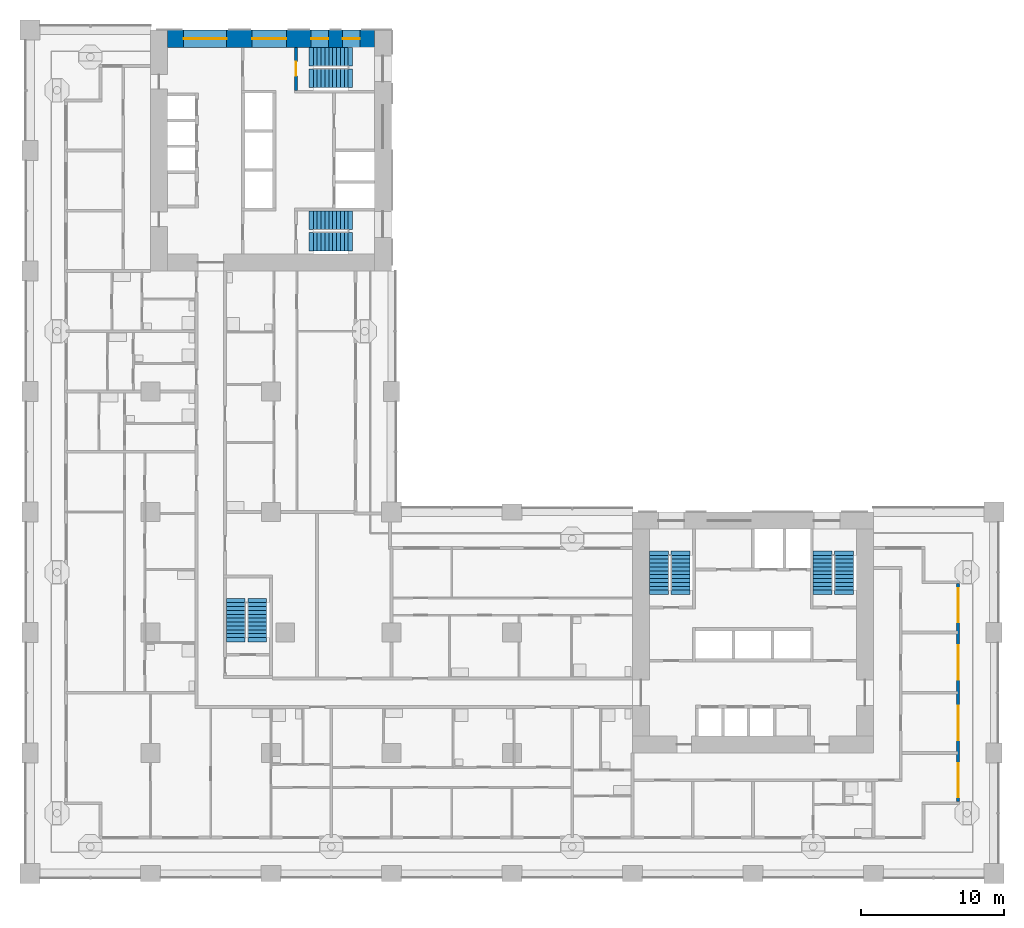
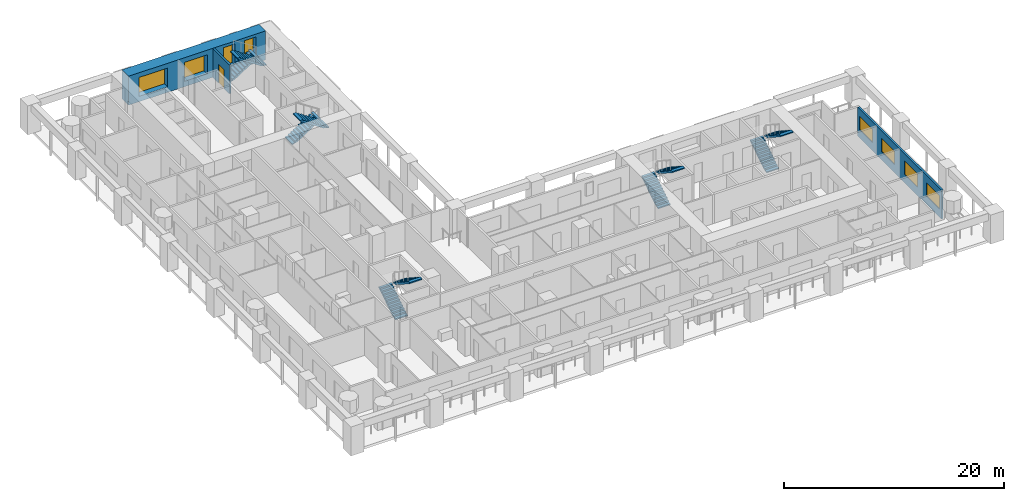
# One storey, part 9 of 19: 10 stair flights, 8 windows, 3 walls, 1 door, 9 openings, 5 elements without a shape of their own.
"""IFC4 building model written with IfcOpenShell, lengths in metres."""

from ifc_helpers import new_model, si_unit, direction, frame, frame_2d, origin, place, context, subcontext, project, spatial, polyline, rectangle, outline, extrude, material, layer, layer_set, type_object, element, fill, aggregate, save


model = new_model("IFC4")

# Units and contexts
model_context = context("Model", 3, precision=1e-05, world=origin(), true_north=direction((0.0, 1.0)))
body_context = subcontext(model_context, "Body", "Model", "MODEL_VIEW")
ifc_project = project(units=[si_unit("LENGTHUNIT", "METRE"), si_unit("AREAUNIT", "SQUARE_METRE"), si_unit("VOLUMEUNIT", "CUBIC_METRE"), si_unit("PLANEANGLEUNIT", "RADIAN"), si_unit("MASSUNIT", "GRAM", prefix="KILO")], contexts=[model_context])

# Site, building, storey
site_placement = place(None, origin())
site = spatial("IfcSite", under=ifc_project, at=site_placement, CompositionType="ELEMENT")
building_placement = place(site_placement, origin())
building = spatial("IfcBuilding", under=site, at=building_placement, Name="Vermilion Gate Residences", CompositionType="ELEMENT")
storey_placement = place(building_placement, frame((0.0, 0.0, 28.699951171875)))
storey = spatial("IfcBuildingStorey", under=building, at=storey_placement, Name="L05", CompositionType="ELEMENT", Elevation=28.699951171875)

# Wall, openings, windows
ifc_material_1 = material(Name="Insulated steel stud wall with terracotta rainscreen", Category="masonry")
ifc_layer_1 = layer(ifc_material_1, 0.199951171875)
ifc_layer_set_1 = layer_set([ifc_layer_1], Name="EXTERNAL WALL 200 TERRACOTTA RAINSCREEN")
wall_type_1 = type_object("IfcWallType", Name="EXTERNAL WALL 200 TERRACOTTA RAINSCREEN", PredefinedType="SOLIDWALL", material=ifc_layer_set_1)
wall_1_placement = place(storey_placement, frame((64.699951171875, 5.0, 0.0), z_axis=(0.0, 0.0, 1.0), x_axis=(0.0, 1.0, 0.0)))
wall_1 = element("IfcWall", 1, at=wall_1_placement, inside=storey, type_object=wall_type_1, Name="External wall", PredefinedType="SOLIDWALL", context=body_context, shape_type="SweptSolid", body=[
    extrude(rectangle(XDim=15.199951171875, YDim=0.199951171875, at=frame_2d((7.60009765625, 0.0))), origin(), (0.0, 0.0, 1.0), 3.219970703125),
])
opening_1_placement = place(wall_1_placement, frame((0.300048828125, 0.0, 0.89990234375)))
opening_1 = element("IfcOpeningElement", 2, at=opening_1_placement, cuts=wall_1, Name="Opening WE05028", PredefinedType="OPENING", context=body_context, shape_type="SweptSolid", body=[
    extrude(rectangle(XDim=2.39990234375, YDim=1.5, at=frame_2d((1.199951171875, 0.75))), frame((0.0, 0.10986328125, 0.0), z_axis=(0.0, -1.0, 0.0), x_axis=(1.0, 0.0, 0.0)), (0.0, 0.0, 1.0), 0.219970703125),
])
opening_2_placement = place(wall_1_placement, frame((4.300048828125, 0.0, 0.89990234375)))
opening_2 = element("IfcOpeningElement", 3, at=opening_2_placement, cuts=wall_1, Name="Opening WE05029", PredefinedType="OPENING", context=body_context, shape_type="SweptSolid", body=[
    extrude(rectangle(XDim=2.39990234375, YDim=1.5, at=frame_2d((1.199951171875, 0.75))), frame((0.0, 0.10986328125, 0.0), z_axis=(0.0, -1.0, 0.0), x_axis=(1.0, 0.0, 0.0)), (0.0, 0.0, 1.0), 0.219970703125),
])
opening_3_placement = place(wall_1_placement, frame((8.5, 0.0, 0.89990234375)))
opening_3 = element("IfcOpeningElement", 4, at=opening_3_placement, cuts=wall_1, Name="Opening WE05030", PredefinedType="OPENING", context=body_context, shape_type="SweptSolid", body=[
    extrude(rectangle(XDim=2.39990234375, YDim=1.5, at=frame_2d((1.199951171875, 0.75))), frame((0.0, 0.10986328125, 0.0), z_axis=(0.0, -1.0, 0.0), x_axis=(1.0, 0.0, 0.0)), (0.0, 0.0, 1.0), 0.219970703125),
])
opening_4_placement = place(wall_1_placement, frame((12.5, 0.0, 0.89990234375)))
opening_4 = element("IfcOpeningElement", 5, at=opening_4_placement, cuts=wall_1, Name="Opening WE05031", PredefinedType="OPENING", context=body_context, shape_type="SweptSolid", body=[
    extrude(rectangle(XDim=2.39990234375, YDim=1.5, at=frame_2d((1.199951171875, 0.75))), frame((0.0, 0.10986328125, 0.0), z_axis=(0.0, -1.0, 0.0), x_axis=(1.0, 0.0, 0.0)), (0.0, 0.0, 1.0), 0.219970703125),
])
ifc_material_2 = material(Name="Aluminium and clear glass", Category="aluminium")
window_type_1 = type_object("IfcWindowType", Name="WINDOW 2400 X 1500", PartitioningType="SINGLE_PANEL", PredefinedType="WINDOW", material=ifc_material_2)
window_1_placement = place(opening_1_placement, origin())
window_1 = element("IfcWindow", 6, at=window_1_placement, inside=storey, type_object=window_type_1, Name="Window", OverallHeight=1.5, OverallWidth=2.39990234375, PartitioningType="SINGLE_PANEL", PredefinedType="WINDOW", context=body_context, shape_type="SweptSolid", body=[
    extrude(rectangle(XDim=2.39990234375, YDim=1.5, at=frame_2d((1.199951171875, 0.75))), frame((0.0, 0.030029296875, 0.0), z_axis=(0.0, -1.0, 0.0), x_axis=(1.0, 0.0, 0.0)), (0.0, 0.0, 1.0), 0.06005859375),
])
fill(opening_1, window_1)
window_2_placement = place(opening_2_placement, origin())
window_2 = element("IfcWindow", 7, at=window_2_placement, inside=storey, type_object=window_type_1, Name="Window", OverallHeight=1.5, OverallWidth=2.39990234375, PartitioningType="SINGLE_PANEL", PredefinedType="WINDOW", context=body_context, shape_type="SweptSolid", body=[
    extrude(rectangle(XDim=2.39990234375, YDim=1.5, at=frame_2d((1.199951171875, 0.75))), frame((0.0, 0.030029296875, 0.0), z_axis=(0.0, -1.0, 0.0), x_axis=(1.0, 0.0, 0.0)), (0.0, 0.0, 1.0), 0.06005859375),
])
fill(opening_2, window_2)
window_3_placement = place(opening_3_placement, origin())
window_3 = element("IfcWindow", 8, at=window_3_placement, inside=storey, type_object=window_type_1, Name="Window", OverallHeight=1.5, OverallWidth=2.39990234375, PartitioningType="SINGLE_PANEL", PredefinedType="WINDOW", context=body_context, shape_type="SweptSolid", body=[
    extrude(rectangle(XDim=2.39990234375, YDim=1.5, at=frame_2d((1.199951171875, 0.75))), frame((0.0, 0.030029296875, 0.0), z_axis=(0.0, -1.0, 0.0), x_axis=(1.0, 0.0, 0.0)), (0.0, 0.0, 1.0), 0.06005859375),
])
fill(opening_3, window_3)
window_4_placement = place(opening_4_placement, origin())
window_4 = element("IfcWindow", 9, at=window_4_placement, inside=storey, type_object=window_type_1, Name="Window", OverallHeight=1.5, OverallWidth=2.39990234375, PartitioningType="SINGLE_PANEL", PredefinedType="WINDOW", context=body_context, shape_type="SweptSolid", body=[
    extrude(rectangle(XDim=2.39990234375, YDim=1.5, at=frame_2d((1.199951171875, 0.75))), frame((0.0, 0.030029296875, 0.0), z_axis=(0.0, -1.0, 0.0), x_axis=(1.0, 0.0, 0.0)), (0.0, 0.0, 1.0), 0.06005859375),
])
fill(opening_4, window_4)

# Wall, opening, door
ifc_material_3 = material(Name="Concrete C60", Category="concrete")
ifc_layer_2 = layer(ifc_material_3, 0.199951171875)
ifc_layer_set_2 = layer_set([ifc_layer_2], Name="RC CORE INTERNAL WALL 200 C60")
wall_type_2 = type_object("IfcWallType", Name="RC CORE INTERNAL WALL 200 C60", PredefinedType="SHEAR", material=ifc_layer_set_2)
wall_2_placement = place(storey_placement, frame((18.550048828125, 57.60009765625, 0.0), z_axis=(0.0, 0.0, 1.0), x_axis=(0.0, -1.0, 0.0)))
wall_2 = element("IfcWall", 10, at=wall_2_placement, inside=storey, type_object=wall_type_2, Name="Core internal wall B05-STW-S", PredefinedType="SHEAR", context=body_context, shape_type="SweptSolid", body=[
    extrude(rectangle(XDim=3.0, YDim=0.199951171875, at=frame_2d((1.5, 0.0))), origin(), (0.0, 0.0, 1.0), 3.219970703125),
])
opening_5_placement = place(wall_2_placement, frame((1.0, 0.0, 0.0)))
opening_5 = element("IfcOpeningElement", 11, at=opening_5_placement, cuts=wall_2, Name="Opening DK05112", PredefinedType="OPENING", context=body_context, shape_type="SweptSolid", body=[
    extrude(rectangle(XDim=1.0, YDim=2.10009765625, at=frame_2d((0.5, 1.050048828125))), frame((0.0, 0.10986328125, 0.0), z_axis=(0.0, -1.0, 0.0), x_axis=(1.0, 0.0, 0.0)), (0.0, 0.0, 1.0), 0.219970703125),
])
ifc_material_4 = material(Name="Steel", Category="steel")
door_type = type_object("IfcDoorType", Name="FIRE DOOR FD60 1000 X 2100", OperationType="SINGLE_SWING_LEFT", PredefinedType="DOOR", material=ifc_material_4)
door_placement = place(opening_5_placement, origin())
door = element("IfcDoor", 12, at=door_placement, inside=storey, type_object=door_type, Name="Stair door B05", OperationType="SINGLE_SWING_LEFT", OverallHeight=2.10009765625, OverallWidth=1.0, PredefinedType="DOOR", context=body_context, shape_type="SweptSolid", body=[
    extrude(rectangle(XDim=1.0, YDim=2.10009765625, at=frame_2d((0.5, 1.050048828125))), frame((0.0, 0.02490234375, 0.0), z_axis=(0.0, -1.0, 0.0), x_axis=(1.0, 0.0, 0.0)), (0.0, 0.0, 1.0), 0.050048828125),
])
fill(opening_5, door)

# Wall, openings, windows
ifc_material_5 = material(Name="Concrete C80 red-oxide pigmented", Category="concrete")
ifc_layer_3 = layer(ifc_material_5, 1.199951171875)
ifc_layer_set_3 = layer_set([ifc_layer_3], Name="RC CORE WALL 1200 C80 RED OXIDE")
wall_type_3 = type_object("IfcWallType", Name="RC CORE WALL 1200 C80 RED OXIDE", PredefinedType="SHEAR", material=ifc_layer_set_3)
wall_3_placement = place(storey_placement, frame((9.60009765625, 58.199951171875, 0.0), z_axis=(0.0, 0.0, 1.0), x_axis=(1.0, 0.0, 0.0)))
wall_3 = element("IfcWall", 13, at=wall_3_placement, inside=storey, type_object=wall_type_3, Name="Core wall B05-OUT-FR", PredefinedType="SHEAR", context=body_context, shape_type="SweptSolid", body=[
    extrude(rectangle(XDim=14.39990234375, YDim=1.199951171875, at=frame_2d((7.199951171875, 0.0))), origin(), (0.0, 0.0, 1.0), 3.219970703125),
])
opening_6_placement = place(wall_3_placement, frame((1.10498046875, 0.0, 0.60009765625)))
opening_6 = element("IfcOpeningElement", 14, at=opening_6_placement, cuts=wall_3, Name="Opening WKB0504", PredefinedType="OPENING", context=body_context, shape_type="SweptSolid", body=[
    extrude(rectangle(XDim=3.0, YDim=2.10009765625, at=frame_2d((1.5, 1.050048828125))), frame((0.0, 0.60986328125, 0.0), z_axis=(0.0, -1.0, 0.0), x_axis=(1.0, 0.0, 0.0)), (0.0, 0.0, 1.0), 1.219970703125),
])
opening_7_placement = place(wall_3_placement, frame((5.875, 0.0, 0.60009765625)))
opening_7 = element("IfcOpeningElement", 15, at=opening_7_placement, cuts=wall_3, Name="Opening WKB0505", PredefinedType="OPENING", context=body_context, shape_type="SweptSolid", body=[
    extrude(rectangle(XDim=2.39990234375, YDim=2.10009765625, at=frame_2d((1.199951171875, 1.050048828125))), frame((0.0, 0.60986328125, 0.0), z_axis=(0.0, -1.0, 0.0), x_axis=(1.0, 0.0, 0.0)), (0.0, 0.0, 1.0), 1.219970703125),
])
opening_8_placement = place(wall_3_placement, frame((9.993408203125, 0.0, 0.5)))
opening_8 = element("IfcOpeningElement", 16, at=opening_8_placement, cuts=wall_3, Name="Opening WKB0506", PredefinedType="OPENING", context=body_context, shape_type="SweptSolid", body=[
    extrude(rectangle(XDim=1.199951171875, YDim=2.39990234375, at=frame_2d((0.60009765625, 1.199951171875))), frame((0.0, 0.60986328125, 0.0), z_axis=(0.0, -1.0, 0.0), x_axis=(1.0, 0.0, 0.0)), (0.0, 0.0, 1.0), 1.219970703125),
])
opening_9_placement = place(wall_3_placement, frame((12.19677734375, 0.0, 0.5)))
opening_9 = element("IfcOpeningElement", 17, at=opening_9_placement, cuts=wall_3, Name="Opening WKB0507", PredefinedType="OPENING", context=body_context, shape_type="SweptSolid", body=[
    extrude(rectangle(XDim=1.199951171875, YDim=2.39990234375, at=frame_2d((0.60009765625, 1.199951171875))), frame((0.0, 0.60986328125, 0.0), z_axis=(0.0, -1.0, 0.0), x_axis=(1.0, 0.0, 0.0)), (0.0, 0.0, 1.0), 1.219970703125),
])
ifc_material_6 = material(Name="Aluminium and clear glass", Category="aluminium")
window_type_2 = type_object("IfcWindowType", Name="CORE LOBBY WINDOW 2400 X 2100", PartitioningType="SINGLE_PANEL", PredefinedType="WINDOW", material=ifc_material_6)
window_5_placement = place(opening_7_placement, origin())
window_5 = element("IfcWindow", 18, at=window_5_placement, inside=storey, type_object=window_type_2, Name="Core lobby window", OverallHeight=2.10009765625, OverallWidth=2.39990234375, PartitioningType="SINGLE_PANEL", PredefinedType="WINDOW", context=body_context, shape_type="SweptSolid", body=[
    extrude(rectangle(XDim=2.39990234375, YDim=2.10009765625, at=frame_2d((1.199951171875, 1.050048828125))), frame((0.0, 0.030029296875, 0.0), z_axis=(0.0, -1.0, 0.0), x_axis=(1.0, 0.0, 0.0)), (0.0, 0.0, 1.0), 0.06005859375),
])
fill(opening_7, window_5)
ifc_material_7 = material(Name="Aluminium and clear glass", Category="aluminium")
window_type_3 = type_object("IfcWindowType", Name="CORE LOBBY WINDOW 3000 X 2100", PartitioningType="SINGLE_PANEL", PredefinedType="WINDOW", material=ifc_material_7)
window_6_placement = place(opening_6_placement, origin())
window_6 = element("IfcWindow", 19, at=window_6_placement, inside=storey, type_object=window_type_3, Name="Core lobby window", OverallHeight=2.10009765625, OverallWidth=3.0, PartitioningType="SINGLE_PANEL", PredefinedType="WINDOW", context=body_context, shape_type="SweptSolid", body=[
    extrude(rectangle(XDim=3.0, YDim=2.10009765625, at=frame_2d((1.5, 1.050048828125))), frame((0.0, 0.030029296875, 0.0), z_axis=(0.0, -1.0, 0.0), x_axis=(1.0, 0.0, 0.0)), (0.0, 0.0, 1.0), 0.06005859375),
])
fill(opening_6, window_6)
ifc_material_8 = material(Name="Aluminium and clear glass", Category="aluminium")
window_type_4 = type_object("IfcWindowType", Name="CORE STAIR WINDOW 1200 X 2400", PartitioningType="SINGLE_PANEL", PredefinedType="WINDOW", material=ifc_material_8)
window_7_placement = place(opening_8_placement, origin())
window_7 = element("IfcWindow", 20, at=window_7_placement, inside=storey, type_object=window_type_4, Name="Core stair window", OverallHeight=2.39990234375, OverallWidth=1.199951171875, PartitioningType="SINGLE_PANEL", PredefinedType="WINDOW", context=body_context, shape_type="SweptSolid", body=[
    extrude(rectangle(XDim=1.199951171875, YDim=2.39990234375, at=frame_2d((0.60009765625, 1.199951171875))), frame((0.0, 0.030029296875, 0.0), z_axis=(0.0, -1.0, 0.0), x_axis=(1.0, 0.0, 0.0)), (0.0, 0.0, 1.0), 0.06005859375),
])
fill(opening_8, window_7)
window_8_placement = place(opening_9_placement, origin())
window_8 = element("IfcWindow", 21, at=window_8_placement, inside=storey, type_object=window_type_4, Name="Core stair window", OverallHeight=2.39990234375, OverallWidth=1.199951171875, PartitioningType="SINGLE_PANEL", PredefinedType="WINDOW", context=body_context, shape_type="SweptSolid", body=[
    extrude(rectangle(XDim=1.199951171875, YDim=2.39990234375, at=frame_2d((0.60009765625, 1.199951171875))), frame((0.0, 0.030029296875, 0.0), z_axis=(0.0, -1.0, 0.0), x_axis=(1.0, 0.0, 0.0)), (0.0, 0.0, 1.0), 0.06005859375),
])
fill(opening_9, window_8)

# Stair, stair flights
ifc_material_9 = material(Name="Concrete C50", Category="concrete")
stair_type = type_object("IfcStairType", Name="SPECIAL ESCAPE STAIR 1300", PredefinedType="HALF_TURN_STAIR", material=ifc_material_9)
stair_1_placement = place(storey_placement, origin())
stair_1 = element("IfcStair", 22, at=stair_1_placement, inside=storey, type_object=stair_type, Name="Special escape stair STA1-05", PredefinedType="HALF_TURN_STAIR")
ifc_material_10 = material(Name="Concrete C50", Category="concrete")
stair_flight_type = type_object("IfcStairFlightType", Name="STAIR FLIGHT 1300 RC C50", PredefinedType="STRAIGHT", material=ifc_material_10)
stair_flight_1_placement = place(storey_placement, frame((43.85009765625, 19.75, 0.0), z_axis=(0.0, 0.0, 1.0), x_axis=(0.0, 1.0, 0.0)))
stair_flight_1 = element("IfcStairFlight", 23, at=stair_flight_1_placement, type_object=stair_flight_type, Name="STA1-05 flight 1", NumberOfRisers=10, NumberOfTreads=9, PredefinedType="STRAIGHT", RiserHeight=0.175, TreadLength=0.27, context=body_context, shape_type="SweptSolid", body=[
    extrude(outline(polyline([(-0.300048828125, -0.14990234375), (-0.300048828125, -0.030029296875), (0.0, 0.0), (0.0, 0.175048828125), (0.27001953125, 0.175048828125), (0.27001953125, 0.35009765625), (0.5400390625, 0.35009765625), (0.5400390625, 0.52490234375), (0.81005859375, 0.52490234375), (0.81005859375, 0.699951171875), (1.080078125, 0.699951171875), (1.080078125, 0.875), (1.35009765625, 0.875), (1.35009765625, 1.050048828125), (1.6201171875, 1.050048828125), (1.6201171875, 1.22509765625), (1.889892578125, 1.22509765625), (1.889892578125, 1.39990234375), (2.159912109375, 1.39990234375), (2.159912109375, 1.574951171875), (2.429931640625, 1.574951171875), (2.429931640625, 1.75), (2.72998046875, 1.719970703125), (2.72998046875, 1.60009765625), (2.429931640625, 1.396484375), (0.275634765625, 0.0), (-0.300048828125, -0.14990234375)])), frame((0.0, 0.64990234375, 0.0), z_axis=(0.0, -1.0, 0.0), x_axis=(1.0, 0.0, 0.0)), (0.0, 0.0, 1.0), 1.300048828125),
])
stair_flight_2_placement = place(storey_placement, frame((45.35009765625, 22.179931640625, 1.75), z_axis=(0.0, 0.0, 1.0), x_axis=(0.0, -1.0, 0.0)))
stair_flight_2 = element("IfcStairFlight", 24, at=stair_flight_2_placement, type_object=stair_flight_type, Name="STA1-05 flight 2", NumberOfRisers=10, NumberOfTreads=9, PredefinedType="STRAIGHT", RiserHeight=0.175, TreadLength=0.27, context=body_context, shape_type="SweptSolid", body=[
    extrude(outline(polyline([(-0.300048828125, -0.14990234375), (-0.300048828125, -0.030029296875), (0.0, 0.0), (0.0, 0.175048828125), (0.27001953125, 0.175048828125), (0.27001953125, 0.35009765625), (0.5400390625, 0.35009765625), (0.5400390625, 0.52490234375), (0.81005859375, 0.52490234375), (0.81005859375, 0.699951171875), (1.080078125, 0.699951171875), (1.080078125, 0.875), (1.35009765625, 0.875), (1.35009765625, 1.050048828125), (1.6201171875, 1.050048828125), (1.6201171875, 1.22509765625), (1.889892578125, 1.22509765625), (1.889892578125, 1.39990234375), (2.159912109375, 1.39990234375), (2.159912109375, 1.574951171875), (2.429931640625, 1.574951171875), (2.429931640625, 1.75), (2.72998046875, 1.719970703125), (2.72998046875, 1.60009765625), (2.429931640625, 1.396484375), (0.275634765625, 0.0), (-0.300048828125, -0.14990234375)])), frame((0.0, 0.64990234375, 0.0), z_axis=(0.0, -1.0, 0.0), x_axis=(1.0, 0.0, 0.0)), (0.0, 0.0, 1.0), 1.300048828125),
])
aggregate(stair_1, [stair_flight_1, stair_flight_2])

stair_2_placement = place(storey_placement, origin())
stair_2 = element("IfcStair", 25, at=stair_2_placement, inside=storey, type_object=stair_type, Name="Special escape stair STA2-05", PredefinedType="HALF_TURN_STAIR")
stair_flight_3_placement = place(storey_placement, frame((55.25, 19.75, 0.0), z_axis=(0.0, 0.0, 1.0), x_axis=(0.0, 1.0, 0.0)))
stair_flight_3 = element("IfcStairFlight", 26, at=stair_flight_3_placement, type_object=stair_flight_type, Name="STA2-05 flight 1", NumberOfRisers=10, NumberOfTreads=9, PredefinedType="STRAIGHT", RiserHeight=0.175, TreadLength=0.27, context=body_context, shape_type="SweptSolid", body=[
    extrude(outline(polyline([(-0.300048828125, -0.14990234375), (-0.300048828125, -0.030029296875), (0.0, 0.0), (0.0, 0.175048828125), (0.27001953125, 0.175048828125), (0.27001953125, 0.35009765625), (0.5400390625, 0.35009765625), (0.5400390625, 0.52490234375), (0.81005859375, 0.52490234375), (0.81005859375, 0.699951171875), (1.080078125, 0.699951171875), (1.080078125, 0.875), (1.35009765625, 0.875), (1.35009765625, 1.050048828125), (1.6201171875, 1.050048828125), (1.6201171875, 1.22509765625), (1.889892578125, 1.22509765625), (1.889892578125, 1.39990234375), (2.159912109375, 1.39990234375), (2.159912109375, 1.574951171875), (2.429931640625, 1.574951171875), (2.429931640625, 1.75), (2.72998046875, 1.719970703125), (2.72998046875, 1.60009765625), (2.429931640625, 1.396484375), (0.275634765625, 0.0), (-0.300048828125, -0.14990234375)])), frame((0.0, 0.64990234375, 0.0), z_axis=(0.0, -1.0, 0.0), x_axis=(1.0, 0.0, 0.0)), (0.0, 0.0, 1.0), 1.300048828125),
])
stair_flight_4_placement = place(storey_placement, frame((56.75, 22.179931640625, 1.75), z_axis=(0.0, 0.0, 1.0), x_axis=(0.0, -1.0, 0.0)))
stair_flight_4 = element("IfcStairFlight", 27, at=stair_flight_4_placement, type_object=stair_flight_type, Name="STA2-05 flight 2", NumberOfRisers=10, NumberOfTreads=9, PredefinedType="STRAIGHT", RiserHeight=0.175, TreadLength=0.27, context=body_context, shape_type="SweptSolid", body=[
    extrude(outline(polyline([(-0.300048828125, -0.14990234375), (-0.300048828125, -0.030029296875), (0.0, 0.0), (0.0, 0.175048828125), (0.27001953125, 0.175048828125), (0.27001953125, 0.35009765625), (0.5400390625, 0.35009765625), (0.5400390625, 0.52490234375), (0.81005859375, 0.52490234375), (0.81005859375, 0.699951171875), (1.080078125, 0.699951171875), (1.080078125, 0.875), (1.35009765625, 0.875), (1.35009765625, 1.050048828125), (1.6201171875, 1.050048828125), (1.6201171875, 1.22509765625), (1.889892578125, 1.22509765625), (1.889892578125, 1.39990234375), (2.159912109375, 1.39990234375), (2.159912109375, 1.574951171875), (2.429931640625, 1.574951171875), (2.429931640625, 1.75), (2.72998046875, 1.719970703125), (2.72998046875, 1.60009765625), (2.429931640625, 1.396484375), (0.275634765625, 0.0), (-0.300048828125, -0.14990234375)])), frame((0.0, 0.64990234375, 0.0), z_axis=(0.0, -1.0, 0.0), x_axis=(1.0, 0.0, 0.0)), (0.0, 0.0, 1.0), 1.300048828125),
])
aggregate(stair_2, [stair_flight_3, stair_flight_4])

stair_3_placement = place(storey_placement, origin())
stair_3 = element("IfcStair", 28, at=stair_3_placement, inside=storey, type_object=stair_type, Name="Special escape stair STB1-05", PredefinedType="HALF_TURN_STAIR")
stair_flight_5_placement = place(storey_placement, frame((19.75, 56.949951171875, 0.0), z_axis=(0.0, 0.0, 1.0), x_axis=(1.0, 0.0, 0.0)))
stair_flight_5 = element("IfcStairFlight", 29, at=stair_flight_5_placement, type_object=stair_flight_type, Name="STB1-05 flight 1", NumberOfRisers=10, NumberOfTreads=9, PredefinedType="STRAIGHT", RiserHeight=0.175, TreadLength=0.27, context=body_context, shape_type="SweptSolid", body=[
    extrude(outline(polyline([(-0.300048828125, -0.14990234375), (-0.300048828125, -0.030029296875), (0.0, 0.0), (0.0, 0.175048828125), (0.27001953125, 0.175048828125), (0.27001953125, 0.35009765625), (0.5400390625, 0.35009765625), (0.5400390625, 0.52490234375), (0.81005859375, 0.52490234375), (0.81005859375, 0.699951171875), (1.080078125, 0.699951171875), (1.080078125, 0.875), (1.35009765625, 0.875), (1.35009765625, 1.050048828125), (1.6201171875, 1.050048828125), (1.6201171875, 1.22509765625), (1.889892578125, 1.22509765625), (1.889892578125, 1.39990234375), (2.159912109375, 1.39990234375), (2.159912109375, 1.574951171875), (2.429931640625, 1.574951171875), (2.429931640625, 1.75), (2.72998046875, 1.719970703125), (2.72998046875, 1.60009765625), (2.429931640625, 1.396484375), (0.275634765625, 0.0), (-0.300048828125, -0.14990234375)])), frame((0.0, 0.64990234375, 0.0), z_axis=(0.0, -1.0, 0.0), x_axis=(1.0, 0.0, 0.0)), (0.0, 0.0, 1.0), 1.300048828125),
])
stair_flight_6_placement = place(storey_placement, frame((22.179931640625, 55.449951171875, 1.75), z_axis=(0.0, 0.0, 1.0), x_axis=(-1.0, 0.0, 0.0)))
stair_flight_6 = element("IfcStairFlight", 30, at=stair_flight_6_placement, type_object=stair_flight_type, Name="STB1-05 flight 2", NumberOfRisers=10, NumberOfTreads=9, PredefinedType="STRAIGHT", RiserHeight=0.175, TreadLength=0.27, context=body_context, shape_type="SweptSolid", body=[
    extrude(outline(polyline([(-0.300048828125, -0.14990234375), (-0.300048828125, -0.030029296875), (0.0, 0.0), (0.0, 0.175048828125), (0.27001953125, 0.175048828125), (0.27001953125, 0.35009765625), (0.5400390625, 0.35009765625), (0.5400390625, 0.52490234375), (0.81005859375, 0.52490234375), (0.81005859375, 0.699951171875), (1.080078125, 0.699951171875), (1.080078125, 0.875), (1.35009765625, 0.875), (1.35009765625, 1.050048828125), (1.6201171875, 1.050048828125), (1.6201171875, 1.22509765625), (1.889892578125, 1.22509765625), (1.889892578125, 1.39990234375), (2.159912109375, 1.39990234375), (2.159912109375, 1.574951171875), (2.429931640625, 1.574951171875), (2.429931640625, 1.75), (2.72998046875, 1.719970703125), (2.72998046875, 1.60009765625), (2.429931640625, 1.396484375), (0.275634765625, 0.0), (-0.300048828125, -0.14990234375)])), frame((0.0, 0.64990234375, 0.0), z_axis=(0.0, -1.0, 0.0), x_axis=(1.0, 0.0, 0.0)), (0.0, 0.0, 1.0), 1.300048828125),
])
aggregate(stair_3, [stair_flight_5, stair_flight_6])

stair_4_placement = place(storey_placement, origin())
stair_4 = element("IfcStair", 31, at=stair_4_placement, inside=storey, type_object=stair_type, Name="Special escape stair STB2-05", PredefinedType="HALF_TURN_STAIR")
stair_flight_7_placement = place(storey_placement, frame((19.75, 45.550048828125, 0.0), z_axis=(0.0, 0.0, 1.0), x_axis=(1.0, 0.0, 0.0)))
stair_flight_7 = element("IfcStairFlight", 32, at=stair_flight_7_placement, type_object=stair_flight_type, Name="STB2-05 flight 1", NumberOfRisers=10, NumberOfTreads=9, PredefinedType="STRAIGHT", RiserHeight=0.175, TreadLength=0.27, context=body_context, shape_type="SweptSolid", body=[
    extrude(outline(polyline([(-0.300048828125, -0.14990234375), (-0.300048828125, -0.030029296875), (0.0, 0.0), (0.0, 0.175048828125), (0.27001953125, 0.175048828125), (0.27001953125, 0.35009765625), (0.5400390625, 0.35009765625), (0.5400390625, 0.52490234375), (0.81005859375, 0.52490234375), (0.81005859375, 0.699951171875), (1.080078125, 0.699951171875), (1.080078125, 0.875), (1.35009765625, 0.875), (1.35009765625, 1.050048828125), (1.6201171875, 1.050048828125), (1.6201171875, 1.22509765625), (1.889892578125, 1.22509765625), (1.889892578125, 1.39990234375), (2.159912109375, 1.39990234375), (2.159912109375, 1.574951171875), (2.429931640625, 1.574951171875), (2.429931640625, 1.75), (2.72998046875, 1.719970703125), (2.72998046875, 1.60009765625), (2.429931640625, 1.396484375), (0.275634765625, 0.0), (-0.300048828125, -0.14990234375)])), frame((0.0, 0.64990234375, 0.0), z_axis=(0.0, -1.0, 0.0), x_axis=(1.0, 0.0, 0.0)), (0.0, 0.0, 1.0), 1.300048828125),
])
stair_flight_8_placement = place(storey_placement, frame((22.179931640625, 44.050048828125, 1.75), z_axis=(0.0, 0.0, 1.0), x_axis=(-1.0, 0.0, 0.0)))
stair_flight_8 = element("IfcStairFlight", 33, at=stair_flight_8_placement, type_object=stair_flight_type, Name="STB2-05 flight 2", NumberOfRisers=10, NumberOfTreads=9, PredefinedType="STRAIGHT", RiserHeight=0.175, TreadLength=0.27, context=body_context, shape_type="SweptSolid", body=[
    extrude(outline(polyline([(-0.300048828125, -0.14990234375), (-0.300048828125, -0.030029296875), (0.0, 0.0), (0.0, 0.175048828125), (0.27001953125, 0.175048828125), (0.27001953125, 0.35009765625), (0.5400390625, 0.35009765625), (0.5400390625, 0.52490234375), (0.81005859375, 0.52490234375), (0.81005859375, 0.699951171875), (1.080078125, 0.699951171875), (1.080078125, 0.875), (1.35009765625, 0.875), (1.35009765625, 1.050048828125), (1.6201171875, 1.050048828125), (1.6201171875, 1.22509765625), (1.889892578125, 1.22509765625), (1.889892578125, 1.39990234375), (2.159912109375, 1.39990234375), (2.159912109375, 1.574951171875), (2.429931640625, 1.574951171875), (2.429931640625, 1.75), (2.72998046875, 1.719970703125), (2.72998046875, 1.60009765625), (2.429931640625, 1.396484375), (0.275634765625, 0.0), (-0.300048828125, -0.14990234375)])), frame((0.0, 0.64990234375, 0.0), z_axis=(0.0, -1.0, 0.0), x_axis=(1.0, 0.0, 0.0)), (0.0, 0.0, 1.0), 1.300048828125),
])
aggregate(stair_4, [stair_flight_7, stair_flight_8])

stair_5_placement = place(storey_placement, origin())
stair_5 = element("IfcStair", 34, at=stair_5_placement, inside=storey, type_object=stair_type, Name="Special escape stair STC1-05", PredefinedType="HALF_TURN_STAIR")
stair_flight_9_placement = place(storey_placement, frame((14.35009765625, 16.449951171875, 0.0), z_axis=(0.0, 0.0, 1.0), x_axis=(0.0, 1.0, 0.0)))
stair_flight_9 = element("IfcStairFlight", 35, at=stair_flight_9_placement, type_object=stair_flight_type, Name="STC1-05 flight 1", NumberOfRisers=10, NumberOfTreads=9, PredefinedType="STRAIGHT", RiserHeight=0.175, TreadLength=0.27, context=body_context, shape_type="SweptSolid", body=[
    extrude(outline(polyline([(-0.300048828125, -0.14990234375), (-0.300048828125, -0.030029296875), (0.0, 0.0), (0.0, 0.175048828125), (0.27001953125, 0.175048828125), (0.27001953125, 0.35009765625), (0.5400390625, 0.35009765625), (0.5400390625, 0.52490234375), (0.81005859375, 0.52490234375), (0.81005859375, 0.699951171875), (1.080078125, 0.699951171875), (1.080078125, 0.875), (1.35009765625, 0.875), (1.35009765625, 1.050048828125), (1.6201171875, 1.050048828125), (1.6201171875, 1.22509765625), (1.889892578125, 1.22509765625), (1.889892578125, 1.39990234375), (2.159912109375, 1.39990234375), (2.159912109375, 1.574951171875), (2.429931640625, 1.574951171875), (2.429931640625, 1.75), (2.72998046875, 1.719970703125), (2.72998046875, 1.60009765625), (2.429931640625, 1.396484375), (0.275634765625, 0.0), (-0.300048828125, -0.14990234375)])), frame((0.0, 0.64990234375, 0.0), z_axis=(0.0, -1.0, 0.0), x_axis=(1.0, 0.0, 0.0)), (0.0, 0.0, 1.0), 1.300048828125),
])
stair_flight_10_placement = place(storey_placement, frame((15.85009765625, 18.8798828125, 1.75), z_axis=(0.0, 0.0, 1.0), x_axis=(0.0, -1.0, 0.0)))
stair_flight_10 = element("IfcStairFlight", 36, at=stair_flight_10_placement, type_object=stair_flight_type, Name="STC1-05 flight 2", NumberOfRisers=10, NumberOfTreads=9, PredefinedType="STRAIGHT", RiserHeight=0.175, TreadLength=0.27, context=body_context, shape_type="SweptSolid", body=[
    extrude(outline(polyline([(-0.300048828125, -0.14990234375), (-0.300048828125, -0.030029296875), (0.0, 0.0), (0.0, 0.175048828125), (0.27001953125, 0.175048828125), (0.27001953125, 0.35009765625), (0.5400390625, 0.35009765625), (0.5400390625, 0.52490234375), (0.81005859375, 0.52490234375), (0.81005859375, 0.699951171875), (1.080078125, 0.699951171875), (1.080078125, 0.875), (1.35009765625, 0.875), (1.35009765625, 1.050048828125), (1.6201171875, 1.050048828125), (1.6201171875, 1.22509765625), (1.889892578125, 1.22509765625), (1.889892578125, 1.39990234375), (2.159912109375, 1.39990234375), (2.159912109375, 1.574951171875), (2.429931640625, 1.574951171875), (2.429931640625, 1.75), (2.72998046875, 1.719970703125), (2.72998046875, 1.60009765625), (2.429931640625, 1.396484375), (0.275634765625, 0.0), (-0.300048828125, -0.14990234375)])), frame((0.0, 0.64990234375, 0.0), z_axis=(0.0, -1.0, 0.0), x_axis=(1.0, 0.0, 0.0)), (0.0, 0.0, 1.0), 1.300048828125),
])
aggregate(stair_5, [stair_flight_9, stair_flight_10])

save(model, "model.ifc")
